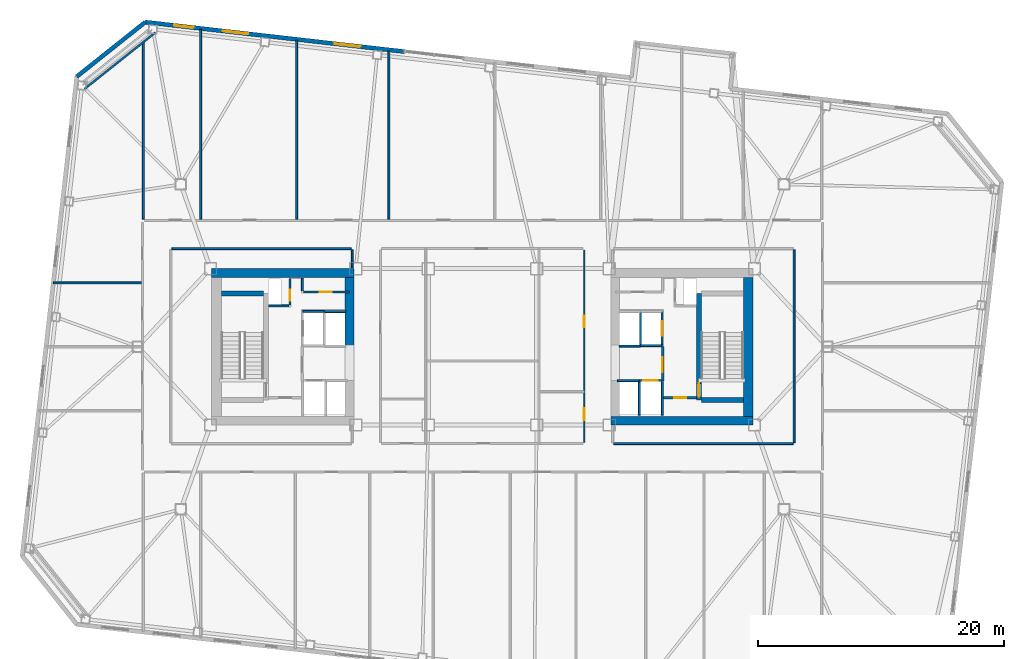
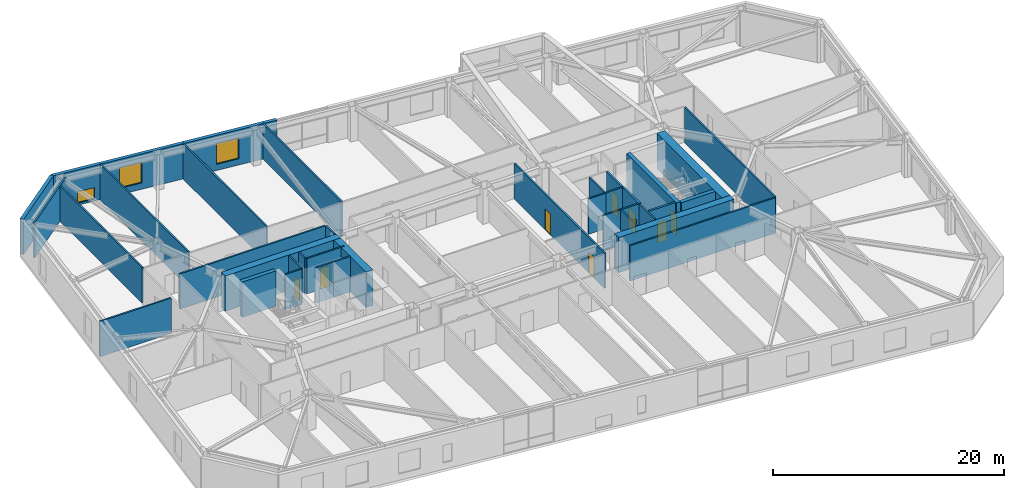
# One storey, part 14 of 22: 36 walls, 9 doors, 3 windows, 12 openings.
"""IFC4 building model written with IfcOpenShell, lengths in metres."""

import ifcopenshell
import ifcopenshell.guid

model = None  # the IFC model being written
_history = None  # IfcOwnerHistory: only IFC2X3 demands one
_inside = {}  # id of a spatial element -> (the spatial element, [elements in it])
_under = {}  # id of a project, library or spatial element -> (it, [spatial elements below it])
_declared = {}  # id of a project -> (the project, [libraries it declares])
_typed = {}  # id of a type object -> (the type object, [elements of that type])
_made_of = {}  # id of a material, layer set ... -> (it, [elements and type objects made of it])


def new_model(schema):
    """Start an empty IFC model of exactly this schema.

    Asked for "IFC4X3", IfcOpenShell would pick the latest addendum, in which some entities
    have other attributes; the version numbers below select the first issue.
    IFC2X3 requires an IfcOwnerHistory on every rooted entity: one is made here for all.
    """
    global model, _history
    if schema == "IFC4X3":
        model = ifcopenshell.file(schema_version=(4, 3, 0, 0))
    else:
        model = ifcopenshell.file(schema=schema)
    _inside.clear()
    _under.clear()
    _declared.clear()
    _typed.clear()
    _made_of.clear()
    _history = None
    if model.schema == "IFC2X3":
        org = make("IfcOrganization", Name="unknown")
        user = make(
            "IfcPersonAndOrganization",
            ThePerson=make("IfcPerson", FamilyName="unknown"),
            TheOrganization=org,
        )
        app = make(
            "IfcApplication",
            ApplicationDeveloper=org,
            Version="unknown",
            ApplicationFullName="unknown",
            ApplicationIdentifier="unknown",
        )
        _history = make(
            "IfcOwnerHistory",
            OwningUser=user,
            OwningApplication=app,
            ChangeAction="ADDED",
            CreationDate=0,
        )
    return model


def make(cls, **values):
    """One entity of the class cls with the attributes given. An attribute that is None is left unset."""
    return model.create_entity(
        cls, **{name: value for name, value in values.items() if value is not None}
    )


def rooted(cls, **values):
    """An entity with a GlobalId (a new one), such as an element, a storey or a relation."""
    return make(cls, GlobalId=ifcopenshell.guid.new(), OwnerHistory=_history, **values)


def si_unit(unit_type, name, prefix=None):
    """IfcSIUnit, for example si_unit("LENGTHUNIT", "METRE", prefix="MILLI")."""
    return make("IfcSIUnit", UnitType=unit_type, Prefix=prefix, Name=name)


def assignment(units):
    """IfcUnitAssignment: the units of a project."""
    return None if units is None else make("IfcUnitAssignment", Units=units)


def point(xyz):
    """IfcCartesianPoint."""
    return None if xyz is None else make("IfcCartesianPoint", Coordinates=xyz)


def direction(xyz):
    """IfcDirection."""
    return None if xyz is None else make("IfcDirection", DirectionRatios=xyz)


def frame(location, z_axis=None, x_axis=None):
    """IfcAxis2Placement3D, a coordinate frame: its origin and axes. An axis left out is left unset."""
    return make(
        "IfcAxis2Placement3D",
        Location=point(location),
        Axis=direction(z_axis),
        RefDirection=direction(x_axis),
    )


def frame_2d(location, x_axis=None):
    """IfcAxis2Placement2D, a coordinate frame in the plane: its origin and x axis."""
    return make(
        "IfcAxis2Placement2D", Location=point(location), RefDirection=direction(x_axis)
    )


def origin():
    """The frame at (0, 0, 0) with its axes left unset."""
    return frame((0.0, 0.0, 0.0))


def place(relative_to, where):
    """IfcLocalPlacement: puts the frame where relative to a parent placement (None: the world)."""
    return make(
        "IfcLocalPlacement", PlacementRelTo=relative_to, RelativePlacement=where
    )


def context(
    kind, dimensions, precision=None, world=None, true_north=None, identifier=None
):
    """IfcGeometricRepresentationContext, for example the 3D "Model" context."""
    return make(
        "IfcGeometricRepresentationContext",
        ContextIdentifier=identifier,
        ContextType=kind,
        CoordinateSpaceDimension=dimensions,
        Precision=precision,
        WorldCoordinateSystem=world,
        TrueNorth=true_north,
    )


def subcontext(parent, identifier, kind, view, scale=None):
    """IfcGeometricRepresentationSubContext, for example "Body" below "Model"."""
    return make(
        "IfcGeometricRepresentationSubContext",
        ContextIdentifier=identifier,
        ContextType=kind,
        ParentContext=parent,
        TargetScale=scale,
        TargetView=view,
    )


def project(units=None, contexts=None):
    """IfcProject with its units and contexts."""
    return rooted(
        "IfcProject",
        Name="project",
        RepresentationContexts=contexts,
        UnitsInContext=assignment(units),
    )


def spatial(cls, under=None, at=None, **own):
    """A site, building, storey or space (cls), placed at a placement, below another one or the project."""
    s = rooted(cls, ObjectPlacement=at, **own)
    if under is not None:
        _under.setdefault(under.id(), (under, []))[1].append(s)
    return s


def profile(cls, at=None, kind="AREA", **sizes):
    """A parametric profile (cls). Its sizes go by their IFC names, for example OverallWidth=200.0."""
    return make(cls, ProfileType=kind, Position=at, **sizes)


def rectangle(**sizes):
    """IfcRectangleProfileDef."""
    return profile("IfcRectangleProfileDef", **sizes)


def extrude(swept, where, along, depth):
    """IfcExtrudedAreaSolid: the profile swept, set in the frame where, extruded along a direction by depth."""
    return make(
        "IfcExtrudedAreaSolid",
        SweptArea=swept,
        Position=where,
        ExtrudedDirection=direction(along),
        Depth=depth,
    )


def shape(context_of_items, identifier, shape_type, items):
    """IfcShapeRepresentation: the items that make up one representation, for example the "Body"."""
    return make(
        "IfcShapeRepresentation",
        ContextOfItems=context_of_items,
        RepresentationIdentifier=identifier,
        RepresentationType=shape_type,
        Items=items,
    )


def material(Name=None, Category=None):
    """IfcMaterial."""
    return make("IfcMaterial", Name=Name, Category=Category)


def layer(
    of_material, thickness, ventilated=None, Name=None, Category=None, Priority=None
):
    """IfcMaterialLayer: one layer of a wall or slab, of a material (None: an air gap)."""
    return make(
        "IfcMaterialLayer",
        Material=of_material,
        LayerThickness=thickness,
        IsVentilated=ventilated,
        Name=Name,
        Category=Category,
        Priority=Priority,
    )


def layer_set(layers, Name=None):
    """IfcMaterialLayerSet."""
    return make("IfcMaterialLayerSet", MaterialLayers=layers, LayerSetName=Name)


def made_of(thing, what):
    """Note that an element or type object is made of a material, layer set ...; save() writes the relation."""
    if what is not None:
        _made_of.setdefault(what.id(), (what, []))[1].append(thing)
    return thing


def type_object(cls, material=None, **own):
    """A type object (cls), such as IfcWallType, which elements share."""
    return made_of(rooted(cls, **own), material)


def element(
    cls,
    number,
    at=None,
    inside=None,
    cuts=None,
    type_object=None,
    material=None,
    context=None,
    identifier="Body",
    shape_type=None,
    held_by="IfcProductDefinitionShape",
    body=None,
    shapes=None,
    **own,
):
    """One element of the class cls, such as IfcWall. Its Tag is "e" and its number.

    at: its placement. inside: the storey or other place that contains it. cuts: it is an
    opening in that element (IfcRelVoidsElement). A single representation is given by context,
    identifier, shape_type and body (its items); several are given by shapes. held_by: the class
    of the entity that holds the representations. save() writes the other relations.
    """
    e = rooted(cls, Tag="e%d" % number, ObjectPlacement=at, **own)
    if body is not None:
        shapes = [shape(context, identifier, shape_type, body)]
    if shapes is not None:
        e.Representation = make(held_by, Representations=shapes)
    if inside is not None:
        _inside.setdefault(inside.id(), (inside, []))[1].append(e)
    if cuts is not None:
        rooted(
            "IfcRelVoidsElement", RelatingBuildingElement=cuts, RelatedOpeningElement=e
        )
    if type_object is not None:
        _typed.setdefault(type_object.id(), (type_object, []))[1].append(e)
    return made_of(e, material)


def fill(opening, filler):
    """IfcRelFillsElement: the door or window that sits in an opening."""
    return rooted(
        "IfcRelFillsElement",
        RelatingOpeningElement=opening,
        RelatedBuildingElement=filler,
    )


def aggregate(whole, parts):
    """IfcRelAggregates: a whole, such as a stair, and the parts it consists of."""
    return rooted("IfcRelAggregates", RelatingObject=whole, RelatedObjects=parts)


def save(model, path):
    """Write the relations noted so far, then the file.

    IfcRelAggregates (storeys below a building ...), IfcRelContainedInSpatialStructure (elements
    in a storey), IfcRelDefinesByType, IfcRelAssociatesMaterial and IfcRelDeclares: one each for
    every whole, place, type object, material and project.
    """
    for whole, parts in _under.values():
        aggregate(whole, parts)
    for where, things in _inside.values():
        rooted(
            "IfcRelContainedInSpatialStructure",
            RelatedElements=things,
            RelatingStructure=where,
        )
    for kind, things in _typed.values():
        rooted("IfcRelDefinesByType", RelatedObjects=things, RelatingType=kind)
    for what, things in _made_of.values():
        rooted("IfcRelAssociatesMaterial", RelatedObjects=things, RelatingMaterial=what)
    for by, libraries in _declared.values():
        rooted("IfcRelDeclares", RelatingContext=by, RelatedDefinitions=libraries)
    model.write(path)


model = new_model("IFC4")

# Units and contexts
model_context = context("Model", 3, precision=1e-05, world=origin(), true_north=direction((0.0, 1.0)))
body_context = subcontext(model_context, "Body", "Model", "MODEL_VIEW")
ifc_project = project(units=[si_unit("LENGTHUNIT", "METRE"), si_unit("AREAUNIT", "SQUARE_METRE"), si_unit("VOLUMEUNIT", "CUBIC_METRE"), si_unit("PLANEANGLEUNIT", "RADIAN"), si_unit("MASSUNIT", "GRAM", prefix="KILO")], contexts=[model_context])

# Site, building, storey
site_placement = place(None, origin())
site = spatial("IfcSite", under=ifc_project, at=site_placement, CompositionType="ELEMENT")
building_placement = place(site_placement, origin())
building = spatial("IfcBuilding", under=site, at=building_placement, Name="Tavrogorsk Clinical Tower", CompositionType="ELEMENT")
storey_placement = place(building_placement, frame((0.0, 0.0, 117.39990234375)))
storey = spatial("IfcBuildingStorey", under=building, at=storey_placement, Name="L26", CompositionType="ELEMENT", Elevation=117.39990234375)

# Wall, opening, door
ifc_material_1 = material(Name="Concrete B60", Category="concrete")
ifc_layer_1 = layer(ifc_material_1, 0.199951171875)
ifc_layer_set_1 = layer_set([ifc_layer_1], Name="Concrete B60")
wall_type_1 = type_object("IfcWallType", Name="CoreFireWall_200", PredefinedType="SOLIDWALL", material=ifc_layer_set_1)
wall_1_placement = place(storey_placement, frame((14.719970703125, -4.139892578125, 0.0), z_axis=(0.0, 0.0, 1.0), x_axis=(1.0, 0.0, 0.0)))
wall_1 = element("IfcWall", 1, at=wall_1_placement, inside=storey, type_object=wall_type_1, Name="L26 Core East South Core Room Fire Wall", PredefinedType="SOLIDWALL", context=body_context, shape_type="SweptSolid", body=[
    extrude(rectangle(XDim=2.659912109375, YDim=0.199951171875, at=frame_2d((1.330078125, 0.0))), origin(), (0.0, 0.0, 1.0), 3.739990234375),
])
opening_1_placement = place(wall_1_placement, frame((0.8798828125, 0.0, 0.0)))
opening_1 = element("IfcOpeningElement", 2, at=opening_1_placement, cuts=wall_1, Name="Opening ID-02", PredefinedType="OPENING", context=body_context, shape_type="SweptSolid", body=[
    extrude(rectangle(XDim=0.949951171875, YDim=2.199951171875, at=frame_2d((0.47509765625, 1.10009765625))), frame((0.0, 0.10986328125, 0.0), z_axis=(0.0, -1.0, 0.0), x_axis=(1.0, 0.0, 0.0)), (0.0, 0.0, 1.0), 0.219970703125),
])
ifc_material_2 = material(Name="Laminated timber leaf on aluminium frame", Category="wood")
door_type_1 = type_object("IfcDoorType", Name="InteriorDoor_ID02_950", OperationType="NOTDEFINED", PredefinedType="DOOR", material=ifc_material_2)
door_1_placement = place(opening_1_placement, origin())
door_1 = element("IfcDoor", 3, at=door_1_placement, inside=storey, type_object=door_type_1, Name="L26 Core East South Core Room Door", OperationType="SINGLE_SWING_RIGHT", OverallHeight=2.199951171875, OverallWidth=0.949951171875, PredefinedType="DOOR", context=body_context, shape_type="SweptSolid", body=[
    extrude(rectangle(XDim=0.949951171875, YDim=2.199951171875, at=frame_2d((0.47509765625, 1.10009765625))), frame((0.0, 0.02490234375, 0.0), z_axis=(0.0, -1.0, 0.0), x_axis=(1.0, 0.0, 0.0)), (0.0, 0.0, 1.0), 0.050048828125),
])
fill(opening_1, door_1)

wall_2_placement = place(storey_placement, frame((14.639892578125, -2.780029296875, 0.0), z_axis=(0.0, 0.0, 1.0), x_axis=(0.0, 1.0, 0.0)))
wall_2 = element("IfcWall", 4, at=wall_2_placement, inside=storey, type_object=wall_type_1, Name="L26 Core East Firefighting Lobby Fire Wall", PredefinedType="SOLIDWALL", context=body_context, shape_type="SweptSolid", body=[
    extrude(rectangle(XDim=2.820068359375, YDim=0.199951171875, at=frame_2d((1.41015625, 0.0))), origin(), (0.0, 0.0, 1.0), 3.739990234375),
])
opening_2_placement = place(wall_2_placement, frame((0.72998046875, 0.0, 0.0)))
opening_2 = element("IfcOpeningElement", 5, at=opening_2_placement, cuts=wall_2, Name="Opening FD-01", PredefinedType="OPENING", context=body_context, shape_type="SweptSolid", body=[
    extrude(rectangle(XDim=1.199951171875, YDim=2.199951171875, at=frame_2d((0.60009765625, 1.10009765625))), frame((0.0, 0.10986328125, 0.0), z_axis=(0.0, -1.0, 0.0), x_axis=(1.0, 0.0, 0.0)), (0.0, 0.0, 1.0), 0.219970703125),
])
ifc_material_3 = material(Name="Galvanised steel fire-rated door assembly", Category="steel")
door_type_2 = type_object("IfcDoorType", Name="FireDoor_FD01_1200", OperationType="NOTDEFINED", PredefinedType="DOOR", material=ifc_material_3)
door_2_placement = place(opening_2_placement, origin())
door_2 = element("IfcDoor", 6, at=door_2_placement, inside=storey, type_object=door_type_2, Name="L26 Core East Firefighting Lobby Entry Door", OperationType="SINGLE_SWING_RIGHT", OverallHeight=2.199951171875, OverallWidth=1.199951171875, PredefinedType="DOOR", context=body_context, shape_type="SweptSolid", body=[
    extrude(rectangle(XDim=1.199951171875, YDim=2.199951171875, at=frame_2d((0.60009765625, 1.10009765625))), frame((0.0, 0.02490234375, 0.0), z_axis=(0.0, -1.0, 0.0), x_axis=(1.0, 0.0, 0.0)), (0.0, 0.0, 1.0), 0.050048828125),
])
fill(opening_2, door_2)

ifc_material_4 = material(Name="Lightweight concrete blockwork B15", Category="masonry")
ifc_layer_2 = layer(ifc_material_4, 0.159912109375)
ifc_layer_set_2 = layer_set([ifc_layer_2], Name="Lightweight concrete blockwork B15")
wall_type_2 = type_object("IfcWallType", Name="PartitionWall_160", PredefinedType="PARTITIONING", material=ifc_layer_set_2)
wall_3_placement = place(storey_placement, frame((-14.554931640625, 4.4599609375, 0.0), z_axis=(0.0, 0.0, 1.0), x_axis=(1.0, 0.0, 0.0)))
wall_3 = element("IfcWall", 7, at=wall_3_placement, inside=storey, type_object=wall_type_2, Name="L26 Core West Pneumatic Dispatch South Wall", PredefinedType="PARTITIONING", context=body_context, shape_type="SweptSolid", body=[
    extrude(rectangle(XDim=3.7548828125, YDim=0.159912109375, at=frame_2d((1.87744140625, 0.0))), origin(), (0.0, 0.0, 1.0), 3.739990234375),
])
opening_3_placement = place(wall_3_placement, frame((1.35009765625, 0.0, 0.0)))
opening_3 = element("IfcOpeningElement", 8, at=opening_3_placement, cuts=wall_3, Name="Opening ID-02", PredefinedType="OPENING", context=body_context, shape_type="SweptSolid", body=[
    extrude(rectangle(XDim=0.949951171875, YDim=2.199951171875, at=frame_2d((0.47509765625, 1.10009765625))), frame((0.0, 0.08984375, 0.0), z_axis=(0.0, -1.0, 0.0), x_axis=(1.0, 0.0, 0.0)), (0.0, 0.0, 1.0), 0.179931640625),
])
door_3_placement = place(opening_3_placement, origin())
door_3 = element("IfcDoor", 9, at=door_3_placement, inside=storey, type_object=door_type_1, Name="L26 Core West Pneumatic Dispatch Door", OperationType="SINGLE_SWING_LEFT", OverallHeight=2.199951171875, OverallWidth=0.949951171875, PredefinedType="DOOR", context=body_context, shape_type="SweptSolid", body=[
    extrude(rectangle(XDim=0.949951171875, YDim=2.199951171875, at=frame_2d((0.47509765625, 1.10009765625))), frame((0.0, 0.02490234375, 0.0), z_axis=(0.0, -1.0, 0.0), x_axis=(1.0, 0.0, 0.0)), (0.0, 0.0, 1.0), 0.050048828125),
])
fill(opening_3, door_3)

# Walls
wall_4_placement = place(storey_placement, frame((-14.639892578125, 4.544921875, 0.0), z_axis=(0.0, 0.0, 1.0), x_axis=(0.0, 1.0, 0.0)))
element("IfcWall", 10, at=wall_4_placement, inside=storey, type_object=wall_type_2, Name="L26 Core West Pneumatic Dispatch East Wall", PredefinedType="PARTITIONING", context=body_context, shape_type="SweptSolid", body=[
    extrude(rectangle(XDim=1.01513671875, YDim=0.159912109375, at=frame_2d((0.507568359375, 0.0))), origin(), (0.0, 0.0, 1.0), 3.739990234375),
])
wall_5_placement = place(storey_placement, frame((-26.5712890625, 25.534912109375, 0.0), z_axis=(0.0, 0.0, 1.0), x_axis=(-0.782617962887, -0.622502308564, 0.0)))
element("IfcWall", 11, at=wall_5_placement, inside=storey, type_object=wall_type_2, Name="L26 Corner Exoskeleton Brace Furring Wall 3", PredefinedType="PARTITIONING", context=body_context, shape_type="SweptSolid", body=[
    extrude(rectangle(XDim=7.35400390625, YDim=0.159912109375, at=frame_2d((3.677001953125, 0.0))), origin(), (0.0, 0.0, 1.0), 3.739990234375),
])
wall_6_placement = place(storey_placement, frame((10.6650390625, -7.8701171875, 0.0), z_axis=(0.0, 0.0, 1.0), x_axis=(1.0, 0.0, 0.0)))
element("IfcWall", 12, at=wall_6_placement, inside=storey, type_object=wall_type_2, Name="L26 Corridor Partition 08", PredefinedType="PARTITIONING", context=body_context, shape_type="SweptSolid", body=[
    extrude(rectangle(XDim=14.570068359375, YDim=0.159912109375, at=frame_2d((7.28515625, 0.0))), origin(), (0.0, 0.0, 1.0), 3.739990234375),
])
wall_7_placement = place(storey_placement, frame((25.320068359375, -7.784912109375, 0.0), z_axis=(0.0, 0.0, 1.0), x_axis=(0.0, 1.0, 0.0)))
element("IfcWall", 13, at=wall_7_placement, inside=storey, type_object=wall_type_2, Name="L26 Corridor Partition 09", PredefinedType="PARTITIONING", context=body_context, shape_type="SweptSolid", body=[
    extrude(rectangle(XDim=15.669921875, YDim=0.159912109375, at=frame_2d((7.8349609375, 0.0))), origin(), (0.0, 0.0, 1.0), 3.739990234375),
])

# Wall, openings, doors
wall_8_placement = place(storey_placement, frame((8.27001953125, -7.784912109375, 0.0), z_axis=(0.0, 0.0, 1.0), x_axis=(0.0, 1.0, 0.0)))
wall_8 = element("IfcWall", 14, at=wall_8_placement, inside=storey, type_object=wall_type_2, Name="L26 Corridor Partition 10", PredefinedType="PARTITIONING", context=body_context, shape_type="SweptSolid", body=[
    extrude(rectangle(XDim=15.669921875, YDim=0.159912109375, at=frame_2d((7.8349609375, 0.0))), origin(), (0.0, 0.0, 1.0), 3.739990234375),
])
opening_4_placement = place(wall_8_placement, frame((1.8291015625, 0.0, 0.0)))
opening_4 = element("IfcOpeningElement", 15, at=opening_4_placement, cuts=wall_8, Name="Opening ID-02", PredefinedType="OPENING", context=body_context, shape_type="SweptSolid", body=[
    extrude(rectangle(XDim=0.949951171875, YDim=2.199951171875, at=frame_2d((0.47509765625, 1.10009765625))), frame((0.0, 0.08984375, 0.0), z_axis=(0.0, -1.0, 0.0), x_axis=(1.0, 0.0, 0.0)), (0.0, 0.0, 1.0), 0.179931640625),
])
opening_5_placement = place(wall_8_placement, frame((9.36083984375, 0.0, 0.0)))
opening_5 = element("IfcOpeningElement", 16, at=opening_5_placement, cuts=wall_8, Name="Opening ID-02", PredefinedType="OPENING", context=body_context, shape_type="SweptSolid", body=[
    extrude(rectangle(XDim=0.949951171875, YDim=2.199951171875, at=frame_2d((0.47509765625, 1.10009765625))), frame((0.0, 0.08984375, 0.0), z_axis=(0.0, -1.0, 0.0), x_axis=(1.0, 0.0, 0.0)), (0.0, 0.0, 1.0), 0.179931640625),
])
door_4_placement = place(opening_4_placement, origin())
door_4 = element("IfcDoor", 17, at=door_4_placement, inside=storey, type_object=door_type_1, Name="L26 Staff & Visitor Accessible WC Door", OperationType="SINGLE_SWING_LEFT", OverallHeight=2.199951171875, OverallWidth=0.949951171875, PredefinedType="DOOR", context=body_context, shape_type="SweptSolid", body=[
    extrude(rectangle(XDim=0.949951171875, YDim=2.199951171875, at=frame_2d((0.47509765625, 1.10009765625))), frame((0.0, 0.02490234375, 0.0), z_axis=(0.0, -1.0, 0.0), x_axis=(1.0, 0.0, 0.0)), (0.0, 0.0, 1.0), 0.050048828125),
])
fill(opening_4, door_4)
door_5_placement = place(opening_5_placement, origin())
door_5 = element("IfcDoor", 18, at=door_5_placement, inside=storey, type_object=door_type_1, Name="L26 Attending Physician Office Door", OperationType="SINGLE_SWING_RIGHT", OverallHeight=2.199951171875, OverallWidth=0.949951171875, PredefinedType="DOOR", context=body_context, shape_type="SweptSolid", body=[
    extrude(rectangle(XDim=0.949951171875, YDim=2.199951171875, at=frame_2d((0.47509765625, 1.10009765625))), frame((0.0, 0.02490234375, 0.0), z_axis=(0.0, -1.0, 0.0), x_axis=(1.0, 0.0, 0.0)), (0.0, 0.0, 1.0), 0.050048828125),
])
fill(opening_5, door_5)

# Walls
wall_9_placement = place(storey_placement, frame((-10.580078125, 6.419921875, 0.0), z_axis=(0.0, 0.0, 1.0), x_axis=(0.0, 1.0, 0.0)))
element("IfcWall", 19, at=wall_9_placement, inside=storey, type_object=wall_type_2, Name="L26 Corridor Partition 15", PredefinedType="PARTITIONING", context=body_context, shape_type="SweptSolid", body=[
    extrude(rectangle(XDim=1.465087890625, YDim=0.159912109375, at=frame_2d((0.732421875, 0.0))), origin(), (0.0, 0.0, 1.0), 3.739990234375),
])
wall_10_placement = place(storey_placement, frame((-10.6650390625, 7.969970703125, 0.0), z_axis=(0.0, 0.0, 1.0), x_axis=(-1.0, 0.0, 0.0)))
element("IfcWall", 20, at=wall_10_placement, inside=storey, type_object=wall_type_2, Name="L26 Corridor Partition 16", PredefinedType="PARTITIONING", context=body_context, shape_type="SweptSolid", body=[
    extrude(rectangle(XDim=14.570068359375, YDim=0.159912109375, at=frame_2d((7.28515625, 0.0))), origin(), (0.0, 0.0, 1.0), 3.739990234375),
])
wall_11_placement = place(storey_placement, frame((-27.550048828125, 10.364990234375, 0.0), z_axis=(0.0, 0.0, 1.0), x_axis=(0.0, 1.0, 0.0)))
element("IfcWall", 21, at=wall_11_placement, inside=storey, type_object=wall_type_2, Name="L26 NW Wing Closure Partition", PredefinedType="PARTITIONING", context=body_context, shape_type="SweptSolid", body=[
    extrude(rectangle(XDim=14.40869140625, YDim=0.159912109375, at=frame_2d((7.204345703125, 0.0))), origin(), (0.0, 0.0, 1.0), 3.739990234375),
])
wall_12_placement = place(storey_placement, frame((-22.89990234375, 10.364990234375, 0.0), z_axis=(0.0, 0.0, 1.0), x_axis=(0.0, 1.0, 0.0)))
element("IfcWall", 22, at=wall_12_placement, inside=storey, type_object=wall_type_2, Name="L26 North Room Partition 1", PredefinedType="PARTITIONING", context=body_context, shape_type="SweptSolid", body=[
    extrude(rectangle(XDim=15.4365234375, YDim=0.159912109375, at=frame_2d((7.71826171875, 0.0))), origin(), (0.0, 0.0, 1.0), 3.739990234375),
])
wall_13_placement = place(storey_placement, frame((-15.10009765625, 10.364990234375, 0.0), z_axis=(0.0, 0.0, 1.0), x_axis=(0.0, 1.0, 0.0)))
element("IfcWall", 23, at=wall_13_placement, inside=storey, type_object=wall_type_2, Name="L26 North Room Partition 2", PredefinedType="PARTITIONING", context=body_context, shape_type="SweptSolid", body=[
    extrude(rectangle(XDim=14.5478515625, YDim=0.159912109375, at=frame_2d((7.27392578125, 0.0))), origin(), (0.0, 0.0, 1.0), 3.739990234375),
])
wall_14_placement = place(storey_placement, frame((-7.60009765625, 10.364990234375, 0.0), z_axis=(0.0, 0.0, 1.0), x_axis=(0.0, 1.0, 0.0)))
element("IfcWall", 24, at=wall_14_placement, inside=storey, type_object=wall_type_2, Name="L26 North Room Partition 3", PredefinedType="PARTITIONING", context=body_context, shape_type="SweptSolid", body=[
    extrude(rectangle(XDim=13.693359375, YDim=0.159912109375, at=frame_2d((6.8466796875, 0.0))), origin(), (0.0, 0.0, 1.0), 3.739990234375),
])
wall_15_placement = place(storey_placement, frame((-34.857177734375, 5.199951171875, 0.0), z_axis=(0.0, 0.0, 1.0), x_axis=(1.0, 0.0, 0.0)))
element("IfcWall", 25, at=wall_15_placement, inside=storey, type_object=wall_type_2, Name="L26 W Wing Divider 3", PredefinedType="PARTITIONING", context=body_context, shape_type="SweptSolid", body=[
    extrude(rectangle(XDim=7.14208984375, YDim=0.159912109375, at=frame_2d((3.571044921875, 0.0))), origin(), (0.0, 0.0, 1.0), 3.739990234375),
])

# Wall, openings, windows
ifc_material_5 = material(Name="Precast concrete B45 with limestone cladding", Category="masonry")
ifc_layer_3 = layer(ifc_material_5, 0.340087890625)
ifc_layer_set_3 = layer_set([ifc_layer_3], Name="Precast concrete B45 with limestone cladding")
wall_type_3 = type_object("IfcWallType", Name="PrecastLimestoneWall_340", PredefinedType="STANDARD", material=ifc_layer_set_3)
wall_16_placement = place(storey_placement, frame((-6.314453125, 23.982177734375, 0.0), z_axis=(0.0, 0.0, 1.0), x_axis=(-0.993571362037, 0.113207546299, 0.0)))
wall_16 = element("IfcWall", 26, at=wall_16_placement, inside=storey, type_object=wall_type_3, Name="L26 N Limestone Facade Wall 3", PredefinedType="STANDARD", context=body_context, shape_type="SweptSolid", body=[
    extrude(rectangle(XDim=21.222900390625, YDim=0.340087890625, at=frame_2d((10.611328125, 0.0))), origin(), (0.0, 0.0, 1.0), 3.739990234375),
])
opening_6_placement = place(wall_16_placement, frame((17.264892578125, 0.0, 0.219970703125)))
opening_6 = element("IfcOpeningElement", 27, at=opening_6_placement, cuts=wall_16, Name="Opening WN-09", PredefinedType="OPENING", context=body_context, shape_type="SweptSolid", body=[
    extrude(rectangle(XDim=1.60009765625, YDim=1.199951171875, at=frame_2d((0.800048828125, 0.60009765625))), frame((0.0, 0.179931640625, 0.0), z_axis=(0.0, -1.0, 0.0), x_axis=(1.0, 0.0, 0.0)), (0.0, 0.0, 1.0), 0.360107421875),
])
opening_7_placement = place(wall_16_placement, frame((12.793701171875, 0.0, 0.669921875)))
opening_7 = element("IfcOpeningElement", 28, at=opening_7_placement, cuts=wall_16, Name="Opening WN-03", PredefinedType="OPENING", context=body_context, shape_type="SweptSolid", body=[
    extrude(rectangle(XDim=2.10009765625, YDim=2.199951171875, at=frame_2d((1.050048828125, 1.10009765625))), frame((0.0, 0.179931640625, 0.0), z_axis=(0.0, -1.0, 0.0), x_axis=(1.0, 0.0, 0.0)), (0.0, 0.0, 1.0), 0.360107421875),
])
opening_8_placement = place(wall_16_placement, frame((3.616455078125, 0.0, 0.669921875)))
opening_8 = element("IfcOpeningElement", 29, at=opening_8_placement, cuts=wall_16, Name="Opening WN-03", PredefinedType="OPENING", context=body_context, shape_type="SweptSolid", body=[
    extrude(rectangle(XDim=2.10009765625, YDim=2.199951171875, at=frame_2d((1.050048828125, 1.10009765625))), frame((0.0, 0.179931640625, 0.0), z_axis=(0.0, -1.0, 0.0), x_axis=(1.0, 0.0, 0.0)), (0.0, 0.0, 1.0), 0.360107421875),
])
ifc_material_6 = material(Name="Thermally broken aluminium frame and triple IGU", Category="aluminium")
window_type_1 = type_object("IfcWindowType", Name="LowHeadTransWin_1600x1200", PartitioningType="DOUBLE_PANEL_VERTICAL", PredefinedType="WINDOW", material=ifc_material_6)
window_1_placement = place(opening_6_placement, origin())
window_1 = element("IfcWindow", 30, at=window_1_placement, inside=storey, type_object=window_type_1, Name="L26 N Chicago Window 01", OverallHeight=1.199951171875, OverallWidth=1.60009765625, PartitioningType="SINGLE_PANEL", PredefinedType="WINDOW", context=body_context, shape_type="SweptSolid", body=[
    extrude(rectangle(XDim=1.60009765625, YDim=1.199951171875, at=frame_2d((0.800048828125, 0.60009765625))), frame((0.0, 0.030029296875, 0.0), z_axis=(0.0, -1.0, 0.0), x_axis=(1.0, 0.0, 0.0)), (0.0, 0.0, 1.0), 0.06005859375),
])
fill(opening_6, window_1)
ifc_material_7 = material(Name="Thermally broken aluminium frame and triple IGU", Category="aluminium")
window_type_2 = type_object("IfcWindowType", Name="PatientTwinWin_2100x2200", PartitioningType="DOUBLE_PANEL_VERTICAL", PredefinedType="WINDOW", material=ifc_material_7)
window_2_placement = place(opening_7_placement, origin())
window_2 = element("IfcWindow", 31, at=window_2_placement, inside=storey, type_object=window_type_2, Name="L26 N Chicago Window 02", OverallHeight=2.199951171875, OverallWidth=2.10009765625, PartitioningType="SINGLE_PANEL", PredefinedType="WINDOW", context=body_context, shape_type="SweptSolid", body=[
    extrude(rectangle(XDim=2.10009765625, YDim=2.199951171875, at=frame_2d((1.050048828125, 1.10009765625))), frame((0.0, 0.030029296875, 0.0), z_axis=(0.0, -1.0, 0.0), x_axis=(1.0, 0.0, 0.0)), (0.0, 0.0, 1.0), 0.06005859375),
])
fill(opening_7, window_2)
window_3_placement = place(opening_8_placement, origin())
window_3 = element("IfcWindow", 32, at=window_3_placement, inside=storey, type_object=window_type_2, Name="L26 N Chicago Window 04", OverallHeight=2.199951171875, OverallWidth=2.10009765625, PartitioningType="SINGLE_PANEL", PredefinedType="WINDOW", context=body_context, shape_type="SweptSolid", body=[
    extrude(rectangle(XDim=2.10009765625, YDim=2.199951171875, at=frame_2d((1.050048828125, 1.10009765625))), frame((0.0, 0.030029296875, 0.0), z_axis=(0.0, -1.0, 0.0), x_axis=(1.0, 0.0, 0.0)), (0.0, 0.0, 1.0), 0.06005859375),
])
fill(opening_8, window_3)

# Walls
wall_17_placement = place(storey_placement, frame((-27.40087890625, 26.384765625, 0.0), z_axis=(0.0, 0.0, 1.0), x_axis=(-0.78261359446, -0.622507800567, 0.0)))
element("IfcWall", 33, at=wall_17_placement, inside=storey, type_object=wall_type_3, Name="L26 Chamfered Corner Wall 3", PredefinedType="STANDARD", context=body_context, shape_type="SweptSolid", body=[
    extrude(rectangle(XDim=7.113525390625, YDim=0.340087890625, at=frame_2d((3.556640625, 0.0))), origin(), (0.0, 0.0, 1.0), 3.739990234375),
])
ifc_material_8 = material(Name="Lightweight concrete blockwork B25", Category="masonry")
ifc_layer_4 = layer(ifc_material_8, 0.159912109375)
ifc_layer_set_4 = layer_set([ifc_layer_4], Name="Lightweight concrete blockwork B25")
wall_type_4 = type_object("IfcWallType", Name="ShaftWall_160", PredefinedType="PARTITIONING", material=ifc_layer_set_4)
wall_18_placement = place(storey_placement, frame((-14.60009765625, 2.8798828125, 0.0), z_axis=(0.0, 0.0, 1.0), x_axis=(1.0, 0.0, 0.0)))
element("IfcWall", 34, at=wall_18_placement, inside=storey, type_object=wall_type_4, Name="L26 FFL-W Shaft North Wall", PredefinedType="PARTITIONING", context=body_context, shape_type="SweptSolid", body=[
    extrude(rectangle(XDim=1.760009765625, YDim=0.159912109375, at=frame_2d((0.8798828125, 0.0))), origin(), (0.0, 0.0, 1.0), 3.739990234375),
])
wall_19_placement = place(storey_placement, frame((-12.820068359375, 2.860107421875, 0.0), z_axis=(0.0, 0.0, 1.0), x_axis=(1.0, 0.0, 0.0)))
element("IfcWall", 35, at=wall_19_placement, inside=storey, type_object=wall_type_4, Name="L26 LP-H1 High-Zone Lift Rear Wall", PredefinedType="PARTITIONING", context=body_context, shape_type="SweptSolid", body=[
    extrude(rectangle(XDim=1.719970703125, YDim=0.159912109375, at=frame_2d((0.85986328125, 0.0))), origin(), (0.0, 0.0, 1.0), 3.739990234375),
])

# Wall, opening, door
wall_20_placement = place(storey_placement, frame((14.60009765625, 0.1201171875, 0.0), z_axis=(0.0, 0.0, 1.0), x_axis=(0.0, 1.0, 0.0)))
wall_20 = element("IfcWall", 36, at=wall_20_placement, inside=storey, type_object=wall_type_4, Name="L26 FFL-E Firefighting Lift Front Wall", PredefinedType="PARTITIONING", context=body_context, shape_type="SweptSolid", body=[
    extrude(rectangle(XDim=2.739990234375, YDim=0.159912109375, at=frame_2d((1.3701171875, 0.0))), origin(), (0.0, 0.0, 1.0), 3.739990234375),
])
opening_9_placement = place(wall_20_placement, frame((0.77001953125, 0.0, 0.0)))
opening_9 = element("IfcOpeningElement", 37, at=opening_9_placement, cuts=wall_20, Name="Opening LD", PredefinedType="OPENING", context=body_context, shape_type="SweptSolid", body=[
    extrude(rectangle(XDim=1.199951171875, YDim=2.199951171875, at=frame_2d((0.60009765625, 1.10009765625))), frame((0.0, 0.08984375, 0.0), z_axis=(0.0, -1.0, 0.0), x_axis=(1.0, 0.0, 0.0)), (0.0, 0.0, 1.0), 0.179931640625),
])
ifc_material_9 = material(Name="Brushed stainless steel AISI 304 sliding doors", Category="steel")
door_type_3 = type_object("IfcDoorType", Name="LiftLandingDoor_LD_1200", OperationType="SLIDING_TO_LEFT", PredefinedType="DOOR", material=ifc_material_9)
door_6_placement = place(opening_9_placement, origin())
door_6 = element("IfcDoor", 38, at=door_6_placement, inside=storey, type_object=door_type_3, Name="L26 FFL-E Sliding Lift Landing Door", OperationType="SLIDING_TO_LEFT", OverallHeight=2.199951171875, OverallWidth=1.199951171875, PredefinedType="DOOR", context=body_context, shape_type="SweptSolid", body=[
    extrude(rectangle(XDim=1.199951171875, YDim=2.199951171875, at=frame_2d((0.60009765625, 1.10009765625))), frame((0.0, 0.02490234375, 0.0), z_axis=(0.0, -1.0, 0.0), x_axis=(1.0, 0.0, 0.0)), (0.0, 0.0, 1.0), 0.050048828125),
])
fill(opening_9, door_6)

# Walls
wall_21_placement = place(storey_placement, frame((12.840087890625, 0.10009765625, 0.0), z_axis=(0.0, 0.0, 1.0), x_axis=(1.0, 0.0, 0.0)))
element("IfcWall", 39, at=wall_21_placement, inside=storey, type_object=wall_type_4, Name="L26 FFL-E Shaft South Wall", PredefinedType="PARTITIONING", context=body_context, shape_type="SweptSolid", body=[
    extrude(rectangle(XDim=1.760009765625, YDim=0.159912109375, at=frame_2d((0.8798828125, 0.0))), origin(), (0.0, 0.0, 1.0), 3.739990234375),
])
wall_22_placement = place(storey_placement, frame((12.840087890625, 0.179931640625, 0.0), z_axis=(0.0, 0.0, 1.0), x_axis=(0.0, 1.0, 0.0)))
element("IfcWall", 40, at=wall_22_placement, inside=storey, type_object=wall_type_4, Name="L26 FFL-E Shaft Back Wall", PredefinedType="PARTITIONING", context=body_context, shape_type="SweptSolid", body=[
    extrude(rectangle(XDim=2.6201171875, YDim=0.159912109375, at=frame_2d((1.31005859375, 0.0))), origin(), (0.0, 0.0, 1.0), 3.739990234375),
])

# Wall, opening, door
wall_23_placement = place(storey_placement, frame((12.77001953125, -2.75, 0.0), z_axis=(0.0, 0.0, 1.0), x_axis=(1.0, 0.0, 0.0)))
wall_23 = element("IfcWall", 41, at=wall_23_placement, inside=storey, type_object=wall_type_4, Name="L26 LP-L2 Lift Shaft Portal Wall", PredefinedType="PARTITIONING", context=body_context, shape_type="SweptSolid", body=[
    extrude(rectangle(XDim=1.760009765625, YDim=0.159912109375, at=frame_2d((0.8798828125, 0.0))), origin(), (0.0, 0.0, 1.0), 3.739990234375),
])
opening_10_placement = place(wall_23_placement, frame((0.280029296875, 0.0, 0.0)))
opening_10 = element("IfcOpeningElement", 42, at=opening_10_placement, cuts=wall_23, Name="Opening LD", PredefinedType="OPENING", context=body_context, shape_type="SweptSolid", body=[
    extrude(rectangle(XDim=1.199951171875, YDim=2.199951171875, at=frame_2d((0.60009765625, 1.10009765625))), frame((0.0, 0.08984375, 0.0), z_axis=(0.0, -1.0, 0.0), x_axis=(1.0, 0.0, 0.0)), (0.0, 0.0, 1.0), 0.179931640625),
])
door_7_placement = place(opening_10_placement, origin())
door_7 = element("IfcDoor", 43, at=door_7_placement, inside=storey, type_object=door_type_3, Name="L26 LP-L2 Sliding Lift Landing Door", OperationType="SLIDING_TO_LEFT", OverallHeight=2.199951171875, OverallWidth=1.199951171875, PredefinedType="DOOR", context=body_context, shape_type="SweptSolid", body=[
    extrude(rectangle(XDim=1.199951171875, YDim=2.199951171875, at=frame_2d((0.60009765625, 1.10009765625))), frame((0.0, 0.02490234375, 0.0), z_axis=(0.0, -1.0, 0.0), x_axis=(1.0, 0.0, 0.0)), (0.0, 0.0, 1.0), 0.050048828125),
])
fill(opening_10, door_7)

# Walls
for number, where, z_axis, x_axis, name in (
    (44, (12.75, -5.5400390625, 0.0), (0.0, 0.0, 1.0), (0.0, 1.0, 0.0), "L26 LP-L2 Lift Hoistway Divider Wall"),
    (45, (14.610107421875, -5.5400390625, 0.0), (0.0, 0.0, 1.0), (0.0, 1.0, 0.0), "L26 LP-L2 Lift Hoistway Outer Cheek Wall"),
):
    element("IfcWall", number, at=place(storey_placement, frame(where, z_axis=z_axis, x_axis=x_axis)), inside=storey, type_object=wall_type_4, Name=name, PredefinedType="PARTITIONING", context=body_context, shape_type="SweptSolid", body=[
        extrude(rectangle(XDim=2.699951171875, YDim=0.159912109375, at=frame_2d((1.35009765625, 0.0))), origin(), (0.0, 0.0, 1.0), 3.739990234375),
    ])
wall_24_placement = place(storey_placement, frame((10.969970703125, -2.75, 0.0), z_axis=(0.0, 0.0, 1.0), x_axis=(1.0, 0.0, 0.0)))
element("IfcWall", 46, at=wall_24_placement, inside=storey, type_object=wall_type_4, Name="L26 LP-M2 Lift Shaft Portal Wall", PredefinedType="PARTITIONING", context=body_context, shape_type="SweptSolid", body=[
    extrude(rectangle(XDim=1.760009765625, YDim=0.159912109375, at=frame_2d((0.8798828125, 0.0))), origin(), (0.0, 0.0, 1.0), 3.739990234375),
])
wall_25_placement = place(storey_placement, frame((11.10009765625, 0.06005859375, 0.0), z_axis=(0.0, 0.0, 1.0), x_axis=(1.0, 0.0, 0.0)))
element("IfcWall", 47, at=wall_25_placement, inside=storey, type_object=wall_type_4, Name="L26 LP-H2 High-Zone Lift Portal Wall", PredefinedType="PARTITIONING", context=body_context, shape_type="SweptSolid", body=[
    extrude(rectangle(XDim=1.719970703125, YDim=0.159912109375, at=frame_2d((0.85986328125, 0.0))), origin(), (0.0, 0.0, 1.0), 3.739990234375),
])

# Wall, opening, door
wall_26_placement = place(storey_placement, frame((-15.639892578125, 3.405029296875, 0.0), z_axis=(0.0, 0.0, 1.0), x_axis=(0.0, 1.0, 0.0)))
wall_26 = element("IfcWall", 48, at=wall_26_placement, inside=storey, type_object=wall_type_4, Name="L26 Core West Riser West Wall", PredefinedType="PARTITIONING", context=body_context, shape_type="SweptSolid", body=[
    extrude(rectangle(XDim=2.155029296875, YDim=0.159912109375, at=frame_2d((1.07763671875, 0.0))), origin(), (0.0, 0.0, 1.0), 3.739990234375),
])
opening_11_placement = place(wall_26_placement, frame((0.35009765625, 0.0, 0.0)))
opening_11 = element("IfcOpeningElement", 49, at=opening_11_placement, cuts=wall_26, Name="Opening FD-02", PredefinedType="OPENING", context=body_context, shape_type="SweptSolid", body=[
    extrude(rectangle(XDim=0.89990234375, YDim=2.199951171875, at=frame_2d((0.449951171875, 1.10009765625))), frame((0.0, 0.08984375, 0.0), z_axis=(0.0, -1.0, 0.0), x_axis=(1.0, 0.0, 0.0)), (0.0, 0.0, 1.0), 0.179931640625),
])
ifc_material_10 = material(Name="Galvanised steel fire-rated door assembly", Category="steel")
door_type_4 = type_object("IfcDoorType", Name="FireDoor_FD02_900", OperationType="NOTDEFINED", PredefinedType="DOOR", material=ifc_material_10)
door_8_placement = place(opening_11_placement, origin())
door_8 = element("IfcDoor", 50, at=door_8_placement, inside=storey, type_object=door_type_4, Name="L26 Core West Electrical Riser Access Door", OperationType="SINGLE_SWING_LEFT", OverallHeight=2.199951171875, OverallWidth=0.89990234375, PredefinedType="DOOR", context=body_context, shape_type="SweptSolid", body=[
    extrude(rectangle(XDim=0.89990234375, YDim=2.199951171875, at=frame_2d((0.449951171875, 1.10009765625))), frame((0.0, 0.02490234375, 0.0), z_axis=(0.0, -1.0, 0.0), x_axis=(1.0, 0.0, 0.0)), (0.0, 0.0, 1.0), 0.050048828125),
])
fill(opening_11, door_8)

# Walls
wall_27_placement = place(storey_placement, frame((-17.3798828125, 3.320068359375, 0.0), z_axis=(0.0, 0.0, 1.0), x_axis=(1.0, 0.0, 0.0)))
element("IfcWall", 51, at=wall_27_placement, inside=storey, type_object=wall_type_4, Name="L26 Core West Riser South Wall", PredefinedType="PARTITIONING", context=body_context, shape_type="SweptSolid", body=[
    extrude(rectangle(XDim=1.65478515625, YDim=0.159912109375, at=frame_2d((0.827392578125, 0.0))), origin(), (0.0, 0.0, 1.0), 3.739990234375),
])
ifc_material_11 = material(Name="Concrete B80", Category="concrete")
ifc_layer_5 = layer(ifc_material_11, 0.39990234375)
ifc_layer_set_5 = layer_set([ifc_layer_5], Name="Concrete B80")
wall_type_5 = type_object("IfcWallType", Name="ShearWall_400", PredefinedType="SHEAR", material=ifc_layer_set_5)
wall_28_placement = place(storey_placement, frame((-21.199951171875, 4.324951171875, 0.0), z_axis=(0.0, 0.0, 1.0), x_axis=(1.0, 0.0, 0.0)))
element("IfcWall", 52, at=wall_28_placement, inside=storey, type_object=wall_type_5, Name="L26 Core West Stair Shaft North Shear Wall", PredefinedType="SHEAR", context=body_context, shape_type="SweptSolid", body=[
    extrude(rectangle(XDim=3.39990234375, YDim=0.39990234375, at=frame_2d((1.699951171875, 0.0))), origin(), (0.0, 0.0, 1.0), 3.739990234375),
])

# Wall, opening, door
wall_29_placement = place(storey_placement, frame((17.60009765625, -4.324951171875, 0.0), z_axis=(0.0, 0.0, 1.0), x_axis=(0.0, 1.0, 0.0)))
wall_29 = element("IfcWall", 53, at=wall_29_placement, inside=storey, type_object=wall_type_5, Name="L26 Core East Stair Shaft Inner Shear Wall", PredefinedType="SHEAR", context=body_context, shape_type="SweptSolid", body=[
    extrude(rectangle(XDim=8.64990234375, YDim=0.39990234375, at=frame_2d((4.324951171875, 0.0))), origin(), (0.0, 0.0, 1.0), 3.739990234375),
])
opening_12_placement = place(wall_29_placement, frame((0.25, 0.0, 0.0)))
opening_12 = element("IfcOpeningElement", 54, at=opening_12_placement, cuts=wall_29, Name="Opening SD-01", PredefinedType="OPENING", context=body_context, shape_type="SweptSolid", body=[
    extrude(rectangle(XDim=1.10009765625, YDim=2.199951171875, at=frame_2d((0.550048828125, 1.10009765625))), frame((0.0, 0.2099609375, 0.0), z_axis=(0.0, -1.0, 0.0), x_axis=(1.0, 0.0, 0.0)), (0.0, 0.0, 1.0), 0.419921875),
])
ifc_material_12 = material(Name="Galvanised steel smoke-tight fire door assembly", Category="steel")
door_type_5 = type_object("IfcDoorType", Name="StairFireDoor_SD01_1100", OperationType="NOTDEFINED", PredefinedType="DOOR", material=ifc_material_12)
door_9_placement = place(opening_12_placement, origin())
door_9 = element("IfcDoor", 55, at=door_9_placement, inside=storey, type_object=door_type_5, Name="L26 ST-E Exit Stair Door", OperationType="SINGLE_SWING_RIGHT", OverallHeight=2.199951171875, OverallWidth=1.10009765625, PredefinedType="DOOR", context=body_context, shape_type="SweptSolid", body=[
    extrude(rectangle(XDim=1.10009765625, YDim=2.199951171875, at=frame_2d((0.550048828125, 1.10009765625))), frame((0.0, 0.02490234375, 0.0), z_axis=(0.0, -1.0, 0.0), x_axis=(1.0, 0.0, 0.0)), (0.0, 0.0, 1.0), 0.050048828125),
])
fill(opening_12, door_9)

# Walls
wall_30_placement = place(storey_placement, frame((17.800048828125, -4.324951171875, 0.0), z_axis=(0.0, 0.0, 1.0), x_axis=(1.0, 0.0, 0.0)))
element("IfcWall", 56, at=wall_30_placement, inside=storey, type_object=wall_type_5, Name="L26 Core East Stair Shaft South Shear Wall", PredefinedType="SHEAR", context=body_context, shape_type="SweptSolid", body=[
    extrude(rectangle(XDim=3.39990234375, YDim=0.39990234375, at=frame_2d((1.699951171875, 0.0))), origin(), (0.0, 0.0, 1.0), 3.739990234375),
])
ifc_material_13 = material(Name="Concrete B80", Category="concrete")
ifc_layer_6 = layer(ifc_material_13, 0.699951171875)
ifc_layer_set_6 = layer_set([ifc_layer_6], Name="Concrete B80")
wall_type_6 = type_object("IfcWallType", Name="ShearWall_700", PredefinedType="SHEAR", material=ifc_layer_set_6)
wall_31_placement = place(storey_placement, frame((-22.0, 6.0, 0.0), z_axis=(0.0, 0.0, 1.0), x_axis=(1.0, 0.0, 0.0)))
element("IfcWall", 57, at=wall_31_placement, inside=storey, type_object=wall_type_6, Name="L26 Core West North Shear Wall", PredefinedType="SHEAR", context=body_context, shape_type="SweptSolid", body=[
    extrude(rectangle(XDim=11.550048828125, YDim=0.699951171875, at=frame_2d((5.77490234375, 0.0))), origin(), (0.0, 0.0, 1.0), 3.739990234375),
])
wall_32_placement = place(storey_placement, frame((-10.800048828125, 0.050048828125, 0.0), z_axis=(0.0, 0.0, 1.0), x_axis=(0.0, 1.0, 0.0)))
element("IfcWall", 58, at=wall_32_placement, inside=storey, type_object=wall_type_6, Name="L26 Core West Inner North Pier", PredefinedType="SHEAR", context=body_context, shape_type="SweptSolid", body=[
    extrude(rectangle(XDim=5.599853515625, YDim=0.699951171875, at=frame_2d((2.7998046875, 0.0))), origin(), (0.0, 0.0, 1.0), 3.739990234375),
])
wall_33_placement = place(storey_placement, frame((10.449951171875, -6.0, 0.0), z_axis=(0.0, 0.0, 1.0), x_axis=(1.0, 0.0, 0.0)))
element("IfcWall", 59, at=wall_33_placement, inside=storey, type_object=wall_type_6, Name="L26 Core East South Shear Wall", PredefinedType="SHEAR", context=body_context, shape_type="SweptSolid", body=[
    extrude(rectangle(XDim=11.550048828125, YDim=0.699951171875, at=frame_2d((5.77490234375, 0.0))), origin(), (0.0, 0.0, 1.0), 3.739990234375),
])
ifc_material_14 = material(Name="Concrete B80", Category="concrete")
ifc_layer_7 = layer(ifc_material_14, 0.800048828125)
ifc_layer_set_7 = layer_set([ifc_layer_7], Name="Concrete B80")
wall_type_7 = type_object("IfcWallType", Name="ShearWall_800", PredefinedType="SHEAR", material=ifc_layer_set_7)
wall_34_placement = place(storey_placement, frame((21.60009765625, -5.64990234375, 0.0), z_axis=(0.0, 0.0, 1.0), x_axis=(0.0, 1.0, 0.0)))
element("IfcWall", 60, at=wall_34_placement, inside=storey, type_object=wall_type_7, Name="L26 Core East End Shear Wall", PredefinedType="SHEAR", context=body_context, shape_type="SweptSolid", body=[
    extrude(rectangle(XDim=11.2998046875, YDim=0.800048828125, at=frame_2d((5.64990234375, 0.0))), origin(), (0.0, 0.0, 1.0), 3.739990234375),
])

save(model, "model.ifc")
